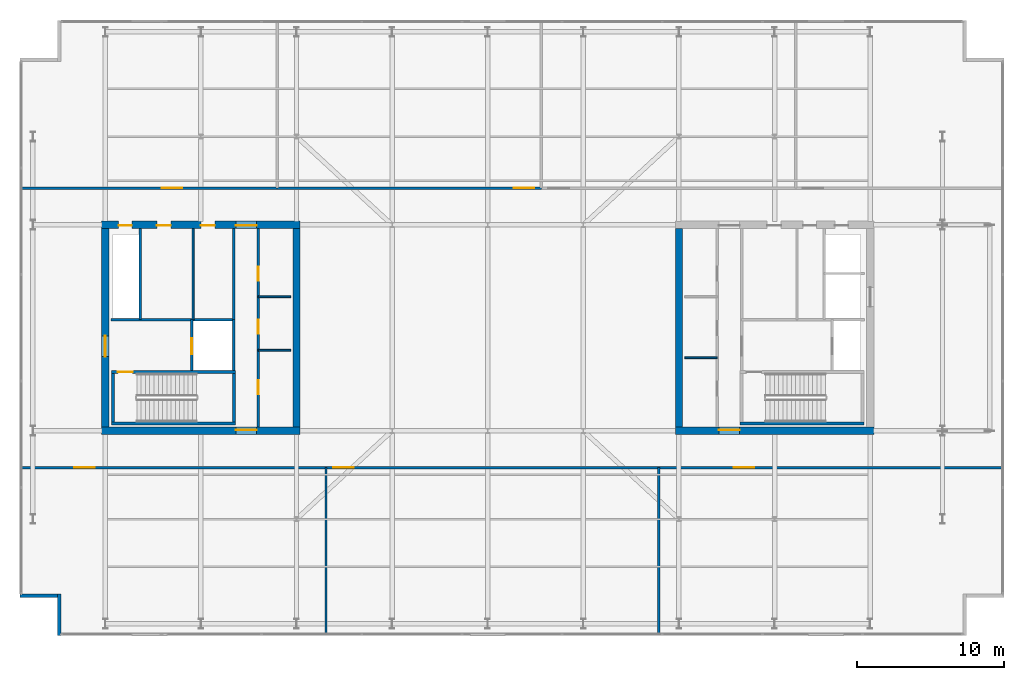
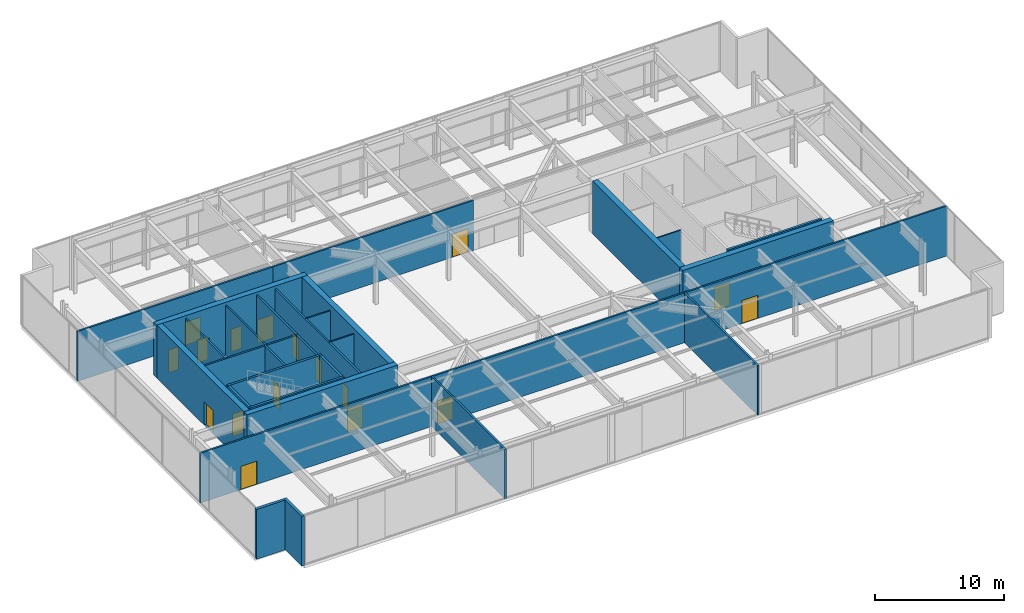
# One storey, part 18 of 23: 30 walls, 17 doors, 17 openings.
"""IFC4 building model written with IfcOpenShell, lengths in metres."""

import ifcopenshell
import ifcopenshell.guid

model = None  # the IFC model being written
_history = None  # IfcOwnerHistory: only IFC2X3 demands one
_inside = {}  # id of a spatial element -> (the spatial element, [elements in it])
_under = {}  # id of a project, library or spatial element -> (it, [spatial elements below it])
_declared = {}  # id of a project -> (the project, [libraries it declares])
_typed = {}  # id of a type object -> (the type object, [elements of that type])
_made_of = {}  # id of a material, layer set ... -> (it, [elements and type objects made of it])


def new_model(schema):
    """Start an empty IFC model of exactly this schema.

    Asked for "IFC4X3", IfcOpenShell would pick the latest addendum, in which some entities
    have other attributes; the version numbers below select the first issue.
    IFC2X3 requires an IfcOwnerHistory on every rooted entity: one is made here for all.
    """
    global model, _history
    if schema == "IFC4X3":
        model = ifcopenshell.file(schema_version=(4, 3, 0, 0))
    else:
        model = ifcopenshell.file(schema=schema)
    _inside.clear()
    _under.clear()
    _declared.clear()
    _typed.clear()
    _made_of.clear()
    _history = None
    if model.schema == "IFC2X3":
        org = make("IfcOrganization", Name="unknown")
        user = make(
            "IfcPersonAndOrganization",
            ThePerson=make("IfcPerson", FamilyName="unknown"),
            TheOrganization=org,
        )
        app = make(
            "IfcApplication",
            ApplicationDeveloper=org,
            Version="unknown",
            ApplicationFullName="unknown",
            ApplicationIdentifier="unknown",
        )
        _history = make(
            "IfcOwnerHistory",
            OwningUser=user,
            OwningApplication=app,
            ChangeAction="ADDED",
            CreationDate=0,
        )
    return model


def make(cls, **values):
    """One entity of the class cls with the attributes given. An attribute that is None is left unset."""
    return model.create_entity(
        cls, **{name: value for name, value in values.items() if value is not None}
    )


def rooted(cls, **values):
    """An entity with a GlobalId (a new one), such as an element, a storey or a relation."""
    return make(cls, GlobalId=ifcopenshell.guid.new(), OwnerHistory=_history, **values)


def si_unit(unit_type, name, prefix=None):
    """IfcSIUnit, for example si_unit("LENGTHUNIT", "METRE", prefix="MILLI")."""
    return make("IfcSIUnit", UnitType=unit_type, Prefix=prefix, Name=name)


def assignment(units):
    """IfcUnitAssignment: the units of a project."""
    return None if units is None else make("IfcUnitAssignment", Units=units)


def point(xyz):
    """IfcCartesianPoint."""
    return None if xyz is None else make("IfcCartesianPoint", Coordinates=xyz)


def direction(xyz):
    """IfcDirection."""
    return None if xyz is None else make("IfcDirection", DirectionRatios=xyz)


def frame(location, z_axis=None, x_axis=None):
    """IfcAxis2Placement3D, a coordinate frame: its origin and axes. An axis left out is left unset."""
    return make(
        "IfcAxis2Placement3D",
        Location=point(location),
        Axis=direction(z_axis),
        RefDirection=direction(x_axis),
    )


def frame_2d(location, x_axis=None):
    """IfcAxis2Placement2D, a coordinate frame in the plane: its origin and x axis."""
    return make(
        "IfcAxis2Placement2D", Location=point(location), RefDirection=direction(x_axis)
    )


def origin():
    """The frame at (0, 0, 0) with its axes left unset."""
    return frame((0.0, 0.0, 0.0))


def place(relative_to, where):
    """IfcLocalPlacement: puts the frame where relative to a parent placement (None: the world)."""
    return make(
        "IfcLocalPlacement", PlacementRelTo=relative_to, RelativePlacement=where
    )


def context(
    kind, dimensions, precision=None, world=None, true_north=None, identifier=None
):
    """IfcGeometricRepresentationContext, for example the 3D "Model" context."""
    return make(
        "IfcGeometricRepresentationContext",
        ContextIdentifier=identifier,
        ContextType=kind,
        CoordinateSpaceDimension=dimensions,
        Precision=precision,
        WorldCoordinateSystem=world,
        TrueNorth=true_north,
    )


def subcontext(parent, identifier, kind, view, scale=None):
    """IfcGeometricRepresentationSubContext, for example "Body" below "Model"."""
    return make(
        "IfcGeometricRepresentationSubContext",
        ContextIdentifier=identifier,
        ContextType=kind,
        ParentContext=parent,
        TargetScale=scale,
        TargetView=view,
    )


def project(units=None, contexts=None):
    """IfcProject with its units and contexts."""
    return rooted(
        "IfcProject",
        Name="project",
        RepresentationContexts=contexts,
        UnitsInContext=assignment(units),
    )


def spatial(cls, under=None, at=None, **own):
    """A site, building, storey or space (cls), placed at a placement, below another one or the project."""
    s = rooted(cls, ObjectPlacement=at, **own)
    if under is not None:
        _under.setdefault(under.id(), (under, []))[1].append(s)
    return s


def profile(cls, at=None, kind="AREA", **sizes):
    """A parametric profile (cls). Its sizes go by their IFC names, for example OverallWidth=200.0."""
    return make(cls, ProfileType=kind, Position=at, **sizes)


def rectangle(**sizes):
    """IfcRectangleProfileDef."""
    return profile("IfcRectangleProfileDef", **sizes)


def extrude(swept, where, along, depth):
    """IfcExtrudedAreaSolid: the profile swept, set in the frame where, extruded along a direction by depth."""
    return make(
        "IfcExtrudedAreaSolid",
        SweptArea=swept,
        Position=where,
        ExtrudedDirection=direction(along),
        Depth=depth,
    )


def shape(context_of_items, identifier, shape_type, items):
    """IfcShapeRepresentation: the items that make up one representation, for example the "Body"."""
    return make(
        "IfcShapeRepresentation",
        ContextOfItems=context_of_items,
        RepresentationIdentifier=identifier,
        RepresentationType=shape_type,
        Items=items,
    )


def material(Name=None, Category=None):
    """IfcMaterial."""
    return make("IfcMaterial", Name=Name, Category=Category)


def layer(
    of_material, thickness, ventilated=None, Name=None, Category=None, Priority=None
):
    """IfcMaterialLayer: one layer of a wall or slab, of a material (None: an air gap)."""
    return make(
        "IfcMaterialLayer",
        Material=of_material,
        LayerThickness=thickness,
        IsVentilated=ventilated,
        Name=Name,
        Category=Category,
        Priority=Priority,
    )


def layer_set(layers, Name=None):
    """IfcMaterialLayerSet."""
    return make("IfcMaterialLayerSet", MaterialLayers=layers, LayerSetName=Name)


def made_of(thing, what):
    """Note that an element or type object is made of a material, layer set ...; save() writes the relation."""
    if what is not None:
        _made_of.setdefault(what.id(), (what, []))[1].append(thing)
    return thing


def type_object(cls, material=None, **own):
    """A type object (cls), such as IfcWallType, which elements share."""
    return made_of(rooted(cls, **own), material)


def element(
    cls,
    number,
    at=None,
    inside=None,
    cuts=None,
    type_object=None,
    material=None,
    context=None,
    identifier="Body",
    shape_type=None,
    held_by="IfcProductDefinitionShape",
    body=None,
    shapes=None,
    **own,
):
    """One element of the class cls, such as IfcWall. Its Tag is "e" and its number.

    at: its placement. inside: the storey or other place that contains it. cuts: it is an
    opening in that element (IfcRelVoidsElement). A single representation is given by context,
    identifier, shape_type and body (its items); several are given by shapes. held_by: the class
    of the entity that holds the representations. save() writes the other relations.
    """
    e = rooted(cls, Tag="e%d" % number, ObjectPlacement=at, **own)
    if body is not None:
        shapes = [shape(context, identifier, shape_type, body)]
    if shapes is not None:
        e.Representation = make(held_by, Representations=shapes)
    if inside is not None:
        _inside.setdefault(inside.id(), (inside, []))[1].append(e)
    if cuts is not None:
        rooted(
            "IfcRelVoidsElement", RelatingBuildingElement=cuts, RelatedOpeningElement=e
        )
    if type_object is not None:
        _typed.setdefault(type_object.id(), (type_object, []))[1].append(e)
    return made_of(e, material)


def fill(opening, filler):
    """IfcRelFillsElement: the door or window that sits in an opening."""
    return rooted(
        "IfcRelFillsElement",
        RelatingOpeningElement=opening,
        RelatedBuildingElement=filler,
    )


def aggregate(whole, parts):
    """IfcRelAggregates: a whole, such as a stair, and the parts it consists of."""
    return rooted("IfcRelAggregates", RelatingObject=whole, RelatedObjects=parts)


def save(model, path):
    """Write the relations noted so far, then the file.

    IfcRelAggregates (storeys below a building ...), IfcRelContainedInSpatialStructure (elements
    in a storey), IfcRelDefinesByType, IfcRelAssociatesMaterial and IfcRelDeclares: one each for
    every whole, place, type object, material and project.
    """
    for whole, parts in _under.values():
        aggregate(whole, parts)
    for where, things in _inside.values():
        rooted(
            "IfcRelContainedInSpatialStructure",
            RelatedElements=things,
            RelatingStructure=where,
        )
    for kind, things in _typed.values():
        rooted("IfcRelDefinesByType", RelatedObjects=things, RelatingType=kind)
    for what, things in _made_of.values():
        rooted("IfcRelAssociatesMaterial", RelatedObjects=things, RelatingMaterial=what)
    for by, libraries in _declared.values():
        rooted("IfcRelDeclares", RelatingContext=by, RelatedDefinitions=libraries)
    model.write(path)


model = new_model("IFC4")

# Units and contexts
model_context = context("Model", 3, precision=1e-05, world=origin(), true_north=direction((0.0, 1.0)))
body_context = subcontext(model_context, "Body", "Model", "MODEL_VIEW")
ifc_project = project(units=[si_unit("LENGTHUNIT", "METRE"), si_unit("AREAUNIT", "SQUARE_METRE"), si_unit("VOLUMEUNIT", "CUBIC_METRE"), si_unit("PLANEANGLEUNIT", "RADIAN"), si_unit("MASSUNIT", "GRAM", prefix="KILO")], contexts=[model_context])

# Site, building, storey
site_placement = place(None, origin())
site = spatial("IfcSite", under=ifc_project, at=site_placement, CompositionType="ELEMENT")
building_placement = place(site_placement, origin())
building = spatial("IfcBuilding", under=site, at=building_placement, Name="Putna Gate Headquarters", CompositionType="ELEMENT")
storey_placement = place(building_placement, frame((0.0, 0.0, 310.39990234375)))
storey = spatial("IfcBuildingStorey", under=building, at=storey_placement, Name="L78", CompositionType="ELEMENT", Elevation=310.39990234375)

# Wall, opening, door
ifc_material_1 = material(Name="Concrete C50/60", Category="concrete")
ifc_layer_1 = layer(ifc_material_1, 0.5)
ifc_layer_set_1 = layer_set([ifc_layer_1], Name="Concrete C50/60")
wall_type_1 = type_object("IfcWallType", Name="WALL-CORE-500", PredefinedType="SHEAR", material=ifc_layer_set_1)
wall_1_placement = place(storey_placement, frame((12.75, 19.0, 0.0), z_axis=(0.0, 0.0, 1.0), x_axis=(1.0, 0.0, 0.0)))
wall_1 = element("IfcWall", 1, at=wall_1_placement, inside=storey, type_object=wall_type_1, Name="L78 WC Split Core Shear Wall S", PredefinedType="SHEAR", context=body_context, shape_type="SweptSolid", body=[
    extrude(rectangle(XDim=13.5, YDim=0.5, at=frame_2d((6.75, 0.0))), origin(), (0.0, 0.0, 1.0), 5.0),
])
opening_1_placement = place(wall_1_placement, frame((9.1298828125, 0.0, 0.0)))
opening_1 = element("IfcOpeningElement", 2, at=opening_1_placement, cuts=wall_1, Name="Opening FDD-140", PredefinedType="OPENING", context=body_context, shape_type="SweptSolid", body=[
    extrude(rectangle(XDim=1.39990234375, YDim=2.199951171875, at=frame_2d((0.699951171875, 1.10009765625))), frame((0.0, 0.260009765625, 0.0), z_axis=(0.0, -1.0, 0.0), x_axis=(1.0, 0.0, 0.0)), (0.0, 0.0, 1.0), 0.52001953125),
])
ifc_material_2 = material(Name="Double steel fire door", Category="steel")
door_type_1 = type_object("IfcDoorType", Name="DOOR-FIRE-DBL-1400", OperationType="DOUBLE_DOOR_SINGLE_SWING", PredefinedType="DOOR", material=ifc_material_2)
door_1_placement = place(opening_1_placement, origin())
door_1 = element("IfcDoor", 3, at=door_1_placement, inside=storey, type_object=door_type_1, Name="L78 West Lift Lobby South Door", OperationType="DOUBLE_DOOR_SINGLE_SWING", OverallHeight=2.199951171875, OverallWidth=1.39990234375, PredefinedType="DOOR", context=body_context, shape_type="SweptSolid", body=[
    extrude(rectangle(XDim=1.39990234375, YDim=2.199951171875, at=frame_2d((0.699951171875, 1.10009765625))), frame((0.0, 0.0751953125, 0.0), z_axis=(0.0, -1.0, 0.0), x_axis=(1.0, 0.0, 0.0)), (0.0, 0.0, 1.0), 0.050048828125),
])
fill(opening_1, door_1)

# Wall, openings, doors
wall_2_placement = place(storey_placement, frame((12.75, 33.0, 0.0), z_axis=(0.0, 0.0, 1.0), x_axis=(1.0, 0.0, 0.0)))
wall_2 = element("IfcWall", 4, at=wall_2_placement, inside=storey, type_object=wall_type_1, Name="L78 WC Split Core Shear Wall N", PredefinedType="SHEAR", context=body_context, shape_type="SweptSolid", body=[
    extrude(rectangle(XDim=13.5, YDim=0.5, at=frame_2d((6.75, 0.0))), origin(), (0.0, 0.0, 1.0), 5.0),
])
opening_2_placement = place(wall_2_placement, frame((1.14990234375, 0.0, 0.0)))
opening_2 = element("IfcOpeningElement", 5, at=opening_2_placement, cuts=wall_2, Name="Opening RD-90", PredefinedType="OPENING", context=body_context, shape_type="SweptSolid", body=[
    extrude(rectangle(XDim=0.89990234375, YDim=2.14990234375, at=frame_2d((0.449951171875, 1.074951171875))), frame((0.0, 0.260009765625, 0.0), z_axis=(0.0, -1.0, 0.0), x_axis=(1.0, 0.0, 0.0)), (0.0, 0.0, 1.0), 0.52001953125),
])
opening_3_placement = place(wall_2_placement, frame((3.75, 0.0, 0.0)))
opening_3 = element("IfcOpeningElement", 6, at=opening_3_placement, cuts=wall_2, Name="Opening IDS-95", PredefinedType="OPENING", context=body_context, shape_type="SweptSolid", body=[
    extrude(rectangle(XDim=0.949951171875, YDim=2.14990234375, at=frame_2d((0.47509765625, 1.074951171875))), frame((0.0, 0.260009765625, 0.0), z_axis=(0.0, -1.0, 0.0), x_axis=(1.0, 0.0, 0.0)), (0.0, 0.0, 1.0), 0.52001953125),
])
opening_4_placement = place(wall_2_placement, frame((6.75, 0.0, 0.0)))
opening_4 = element("IfcOpeningElement", 7, at=opening_4_placement, cuts=wall_2, Name="Opening IDS-95", PredefinedType="OPENING", context=body_context, shape_type="SweptSolid", body=[
    extrude(rectangle(XDim=0.949951171875, YDim=2.14990234375, at=frame_2d((0.47509765625, 1.074951171875))), frame((0.0, 0.260009765625, 0.0), z_axis=(0.0, -1.0, 0.0), x_axis=(1.0, 0.0, 0.0)), (0.0, 0.0, 1.0), 0.52001953125),
])
opening_5_placement = place(wall_2_placement, frame((9.1298828125, 0.0, 0.0)))
opening_5 = element("IfcOpeningElement", 8, at=opening_5_placement, cuts=wall_2, Name="Opening FDD-140", PredefinedType="OPENING", context=body_context, shape_type="SweptSolid", body=[
    extrude(rectangle(XDim=1.39990234375, YDim=2.199951171875, at=frame_2d((0.699951171875, 1.10009765625))), frame((0.0, 0.260009765625, 0.0), z_axis=(0.0, -1.0, 0.0), x_axis=(1.0, 0.0, 0.0)), (0.0, 0.0, 1.0), 0.52001953125),
])
door_2_placement = place(opening_5_placement, origin())
door_2 = element("IfcDoor", 9, at=door_2_placement, inside=storey, type_object=door_type_1, Name="L78 West Lift Lobby North Door", OperationType="DOUBLE_DOOR_SINGLE_SWING", OverallHeight=2.199951171875, OverallWidth=1.39990234375, PredefinedType="DOOR", context=body_context, shape_type="SweptSolid", body=[
    extrude(rectangle(XDim=1.39990234375, YDim=2.199951171875, at=frame_2d((0.699951171875, 1.10009765625))), frame((0.0, -0.02490234375, 0.0), z_axis=(0.0, -1.0, 0.0), x_axis=(1.0, 0.0, 0.0)), (0.0, 0.0, 1.0), 0.050048828125),
])
fill(opening_5, door_2)
ifc_material_3 = material(Name="Fire-rated service timber door", Category="wood")
door_type_2 = type_object("IfcDoorType", Name="DOOR-INT-950", OperationType="NOTDEFINED", PredefinedType="DOOR", material=ifc_material_3)
door_3_placement = place(opening_3_placement, origin())
door_3 = element("IfcDoor", 10, at=door_3_placement, inside=storey, type_object=door_type_2, Name="L78 Cleaner Store Door", OperationType="SINGLE_SWING_LEFT", OverallHeight=2.14990234375, OverallWidth=0.949951171875, PredefinedType="DOOR", context=body_context, shape_type="SweptSolid", body=[
    extrude(rectangle(XDim=0.949951171875, YDim=2.14990234375, at=frame_2d((0.47509765625, 1.074951171875))), frame((0.0, -0.02490234375, 0.0), z_axis=(0.0, -1.0, 0.0), x_axis=(1.0, 0.0, 0.0)), (0.0, 0.0, 1.0), 0.050048828125),
])
fill(opening_3, door_3)
door_4_placement = place(opening_4_placement, origin())
door_4 = element("IfcDoor", 11, at=door_4_placement, inside=storey, type_object=door_type_2, Name="L78 Comms Plant Door", OperationType="SINGLE_SWING_RIGHT", OverallHeight=2.14990234375, OverallWidth=0.949951171875, PredefinedType="DOOR", context=body_context, shape_type="SweptSolid", body=[
    extrude(rectangle(XDim=0.949951171875, YDim=2.14990234375, at=frame_2d((0.47509765625, 1.074951171875))), frame((0.0, -0.02490234375, 0.0), z_axis=(0.0, -1.0, 0.0), x_axis=(1.0, 0.0, 0.0)), (0.0, 0.0, 1.0), 0.050048828125),
])
fill(opening_4, door_4)
ifc_material_4 = material(Name="Steel riser access fire door", Category="steel")
door_type_3 = type_object("IfcDoorType", Name="DOOR-RISER-900", OperationType="NOTDEFINED", PredefinedType="DOOR", material=ifc_material_4)
door_5_placement = place(opening_2_placement, origin())
door_5 = element("IfcDoor", 12, at=door_5_placement, inside=storey, type_object=door_type_3, Name="L78 West Riser Access Door", OperationType="SINGLE_SWING_RIGHT", OverallHeight=2.14990234375, OverallWidth=0.89990234375, PredefinedType="DOOR", context=body_context, shape_type="SweptSolid", body=[
    extrude(rectangle(XDim=0.89990234375, YDim=2.14990234375, at=frame_2d((0.449951171875, 1.074951171875))), frame((0.0, -0.02490234375, 0.0), z_axis=(0.0, -1.0, 0.0), x_axis=(1.0, 0.0, 0.0)), (0.0, 0.0, 1.0), 0.050048828125),
])
fill(opening_2, door_5)

# Wall, opening, door
wall_3_placement = place(storey_placement, frame((13.0, 19.25, 0.0), z_axis=(0.0, 0.0, 1.0), x_axis=(0.0, 1.0, 0.0)))
wall_3 = element("IfcWall", 13, at=wall_3_placement, inside=storey, type_object=wall_type_1, Name="L78 WC Split Core Shear Wall W", PredefinedType="SHEAR", context=body_context, shape_type="SweptSolid", body=[
    extrude(rectangle(XDim=13.5, YDim=0.5, at=frame_2d((6.75, 0.0))), origin(), (0.0, 0.0, 1.0), 5.0),
])
opening_6_placement = place(wall_3_placement, frame((4.800048828125, 0.0, 0.0)))
opening_6 = element("IfcOpeningElement", 14, at=opening_6_placement, cuts=wall_3, Name="Opening FDD-140", PredefinedType="OPENING", context=body_context, shape_type="SweptSolid", body=[
    extrude(rectangle(XDim=1.39990234375, YDim=2.199951171875, at=frame_2d((0.699951171875, 1.10009765625))), frame((0.0, 0.260009765625, 0.0), z_axis=(0.0, -1.0, 0.0), x_axis=(1.0, 0.0, 0.0)), (0.0, 0.0, 1.0), 0.52001953125),
])
door_6_placement = place(opening_6_placement, origin())
door_6 = element("IfcDoor", 15, at=door_6_placement, inside=storey, type_object=door_type_1, Name="L78 West Firefighting Lobby Door", OperationType="DOUBLE_DOOR_SINGLE_SWING", OverallHeight=2.199951171875, OverallWidth=1.39990234375, PredefinedType="DOOR", context=body_context, shape_type="SweptSolid", body=[
    extrude(rectangle(XDim=1.39990234375, YDim=2.199951171875, at=frame_2d((0.699951171875, 1.10009765625))), frame((0.0, 0.02490234375, 0.0), z_axis=(0.0, -1.0, 0.0), x_axis=(1.0, 0.0, 0.0)), (0.0, 0.0, 1.0), 0.050048828125),
])
fill(opening_6, door_6)

# Wall
wall_4_placement = place(storey_placement, frame((26.0, 19.25, 0.0), z_axis=(0.0, 0.0, 1.0), x_axis=(0.0, 1.0, 0.0)))
element("IfcWall", 16, at=wall_4_placement, inside=storey, type_object=wall_type_1, Name="L78 WC Split Core Shear Wall E", PredefinedType="SHEAR", context=body_context, shape_type="SweptSolid", body=[
    extrude(rectangle(XDim=13.5, YDim=0.5, at=frame_2d((6.75, 0.0))), origin(), (0.0, 0.0, 1.0), 5.0),
])

# Wall, opening, door
wall_5_placement = place(storey_placement, frame((51.75, 19.0, 0.0), z_axis=(0.0, 0.0, 1.0), x_axis=(1.0, 0.0, 0.0)))
wall_5 = element("IfcWall", 17, at=wall_5_placement, inside=storey, type_object=wall_type_1, Name="L78 EC Split Core Shear Wall S", PredefinedType="SHEAR", context=body_context, shape_type="SweptSolid", body=[
    extrude(rectangle(XDim=13.5, YDim=0.5, at=frame_2d((6.75, 0.0))), origin(), (0.0, 0.0, 1.0), 5.0),
])
opening_7_placement = place(wall_5_placement, frame((2.969970703125, 0.0, 0.0)))
opening_7 = element("IfcOpeningElement", 18, at=opening_7_placement, cuts=wall_5, Name="Opening FDD-140", PredefinedType="OPENING", context=body_context, shape_type="SweptSolid", body=[
    extrude(rectangle(XDim=1.39990234375, YDim=2.199951171875, at=frame_2d((0.699951171875, 1.10009765625))), frame((0.0, 0.260009765625, 0.0), z_axis=(0.0, -1.0, 0.0), x_axis=(1.0, 0.0, 0.0)), (0.0, 0.0, 1.0), 0.52001953125),
])
door_7_placement = place(opening_7_placement, origin())
door_7 = element("IfcDoor", 19, at=door_7_placement, inside=storey, type_object=door_type_1, Name="L78 East Lift Lobby South Door", OperationType="DOUBLE_DOOR_SINGLE_SWING", OverallHeight=2.199951171875, OverallWidth=1.39990234375, PredefinedType="DOOR", context=body_context, shape_type="SweptSolid", body=[
    extrude(rectangle(XDim=1.39990234375, YDim=2.199951171875, at=frame_2d((0.699951171875, 1.10009765625))), frame((0.0, 0.0751953125, 0.0), z_axis=(0.0, -1.0, 0.0), x_axis=(1.0, 0.0, 0.0)), (0.0, 0.0, 1.0), 0.050048828125),
])
fill(opening_7, door_7)

# Walls
wall_6_placement = place(storey_placement, frame((52.0, 19.25, 0.0), z_axis=(0.0, 0.0, 1.0), x_axis=(0.0, 1.0, 0.0)))
element("IfcWall", 20, at=wall_6_placement, inside=storey, type_object=wall_type_1, Name="L78 EC Split Core Shear Wall W", PredefinedType="SHEAR", context=body_context, shape_type="SweptSolid", body=[
    extrude(rectangle(XDim=13.5, YDim=0.5, at=frame_2d((6.75, 0.0))), origin(), (0.0, 0.0, 1.0), 5.0),
])
ifc_material_5 = material(Name="Precast concrete C40/50", Category="concrete")
ifc_layer_2 = layer(ifc_material_5, 0.239990234375)
ifc_layer_set_2 = layer_set([ifc_layer_2], Name="Precast concrete C40/50")
wall_type_2 = type_object("IfcWallType", Name="WALL-EXT-TERR-240", PredefinedType="STANDARD", material=ifc_layer_set_2)
wall_7_placement = place(storey_placement, frame((9.8798828125, 5.10009765625, 0.0), z_axis=(0.0, 0.0, 1.0), x_axis=(0.0, 1.0, 0.0)))
element("IfcWall", 21, at=wall_7_placement, inside=storey, type_object=wall_type_2, Name="L78 Corner Notch Return Wall SW-V", PredefinedType="STANDARD", context=body_context, shape_type="SweptSolid", body=[
    extrude(rectangle(XDim=2.7998046875, YDim=0.239990234375, at=frame_2d((1.39990234375, 0.0))), origin(), (0.0, 0.0, 1.0), 4.72021484375),
])
wall_8_placement = place(storey_placement, frame((10.0, 7.780029296875, 0.0), z_axis=(0.0, 0.0, 1.0), x_axis=(-1.0, 0.0, 0.0)))
element("IfcWall", 22, at=wall_8_placement, inside=storey, type_object=wall_type_2, Name="L78 Corner Notch Return Wall SW-H", PredefinedType="STANDARD", context=body_context, shape_type="SweptSolid", body=[
    extrude(rectangle(XDim=2.800048828125, YDim=0.239990234375, at=frame_2d((1.39990234375, 0.0))), origin(), (0.0, 0.0, 1.0), 4.72021484375),
])
ifc_material_6 = material(Name="Fire-rated gypsum board on metal stud")
ifc_layer_3 = layer(ifc_material_6, 0.1201171875)
ifc_layer_set_3 = layer_set([ifc_layer_3], Name="Fire-rated gypsum board on metal stud")
wall_type_3 = type_object("IfcWallType", Name="WALL-PART-120-RATED", PredefinedType="PARTITIONING", material=ifc_layer_set_3)
wall_9_placement = place(storey_placement, frame((18.969970703125, 26.56005859375, 0.0), z_axis=(0.0, 0.0, 1.0), x_axis=(0.0, 1.0, 0.0)))
element("IfcWall", 23, at=wall_9_placement, inside=storey, type_object=wall_type_3, Name="L78 Interior Wall CWINT-L78-WC-K0-DIV", PredefinedType="PARTITIONING", context=body_context, shape_type="SweptSolid", body=[
    extrude(rectangle(XDim=6.18994140625, YDim=0.1201171875, at=frame_2d((3.094970703125, 0.0))), origin(), (0.0, 0.0, 1.0), 4.72021484375),
])
for number, where, z_axis, x_axis, name in (
    (24, (23.39990234375, 24.469970703125, 0.0), (0.0, 0.0, 1.0), (1.0, 0.0, 0.0), "L78 Interior Wall CWINT-L78-WC-REUSE-DIV"),
    (25, (23.39990234375, 28.1201171875, 0.0), (0.0, 0.0, 1.0), (1.0, 0.0, 0.0), "L78 Interior Wall CWINT-L78-WC-LF06-DIV"),
    (26, (52.39990234375, 23.969970703125, 0.0), (0.0, 0.0, 1.0), (1.0, 0.0, 0.0), "L78 Interior Wall CWINT-L78-EC-REUSE-DIV"),
):
    element("IfcWall", number, at=place(storey_placement, frame(where, z_axis=z_axis, x_axis=x_axis)), inside=storey, type_object=wall_type_3, Name=name, PredefinedType="PARTITIONING", context=body_context, shape_type="SweptSolid", body=[
        extrude(rectangle(XDim=2.2001953125, YDim=0.1201171875, at=frame_2d((1.10009765625, 0.0))), origin(), (0.0, 0.0, 1.0), 4.72021484375),
    ])
ifc_material_7 = material(Name="Concrete C40/50", Category="concrete")
ifc_layer_4 = layer(ifc_material_7, 0.159912109375)
ifc_layer_set_4 = layer_set([ifc_layer_4], Name="Concrete C40/50")
wall_type_4 = type_object("IfcWallType", Name="WALL-SHAFT-160", PredefinedType="STANDARD", material=ifc_layer_set_4)
wall_10_placement = place(storey_placement, frame((21.739990234375, 23.090087890625, 0.0), z_axis=(0.0, 0.0, 1.0), x_axis=(0.0, 1.0, 0.0)))
element("IfcWall", 27, at=wall_10_placement, inside=storey, type_object=wall_type_4, Name="L78 Interior Wall CWINT-L78-WC-FFL-E", PredefinedType="STANDARD", context=body_context, shape_type="SweptSolid", body=[
    extrude(rectangle(XDim=3.469970703125, YDim=0.159912109375, at=frame_2d((1.73486328125, 0.0))), origin(), (0.0, 0.0, 1.0), 4.72021484375),
])

# Wall, opening, door
wall_11_placement = place(storey_placement, frame((18.8798828125, 23.090087890625, 0.0), z_axis=(0.0, 0.0, 1.0), x_axis=(0.0, 1.0, 0.0)))
wall_11 = element("IfcWall", 28, at=wall_11_placement, inside=storey, type_object=wall_type_4, Name="L78 Interior Wall CWINT-L78-WC-LF13-W", PredefinedType="STANDARD", context=body_context, shape_type="SweptSolid", body=[
    extrude(rectangle(XDim=3.469970703125, YDim=0.159912109375, at=frame_2d((1.73486328125, 0.0))), origin(), (0.0, 0.0, 1.0), 4.72021484375),
])
opening_8_placement = place(wall_11_placement, frame((1.10009765625, 0.0, 0.0)))
opening_8 = element("IfcOpeningElement", 29, at=opening_8_placement, cuts=wall_11, Name="Opening LD-1", PredefinedType="OPENING", context=body_context, shape_type="SweptSolid", body=[
    extrude(rectangle(XDim=1.10009765625, YDim=2.199951171875, at=frame_2d((0.550048828125, 1.10009765625))), frame((0.0, 0.08984375, 0.0), z_axis=(0.0, -1.0, 0.0), x_axis=(1.0, 0.0, 0.0)), (0.0, 0.0, 1.0), 0.179931640625),
])
ifc_material_8 = material(Name="Brushed bronze stainless lift landing door")
door_type_4 = type_object("IfcDoorType", Name="DOOR-LIFT-1100", OperationType="DOUBLE_DOOR_SLIDING", PredefinedType="DOOR", material=ifc_material_8)
door_8_placement = place(opening_8_placement, origin())
door_8 = element("IfcDoor", 30, at=door_8_placement, inside=storey, type_object=door_type_4, Name="L78 Lift Landing Door LD-13", OperationType="DOUBLE_DOOR_SLIDING", OverallHeight=2.199951171875, OverallWidth=1.10009765625, PredefinedType="DOOR", context=body_context, shape_type="SweptSolid", body=[
    extrude(rectangle(XDim=1.10009765625, YDim=2.199951171875, at=frame_2d((0.550048828125, 1.10009765625))), frame((0.0, 0.02490234375, 0.0), z_axis=(0.0, -1.0, 0.0), x_axis=(1.0, 0.0, 0.0)), (0.0, 0.0, 1.0), 0.050048828125),
])
fill(opening_8, door_8)

# Walls
wall_12_placement = place(storey_placement, frame((13.39990234375, 26.56005859375, 0.0), z_axis=(0.0, 0.0, 1.0), x_axis=(1.0, 0.0, 0.0)))
element("IfcWall", 31, at=wall_12_placement, inside=storey, type_object=wall_type_4, Name="L78 Interior Wall CWINT-L78-WC-FFL-N", PredefinedType="STANDARD", context=body_context, shape_type="SweptSolid", body=[
    extrude(rectangle(XDim=8.340087890625, YDim=0.159912109375, at=frame_2d((4.169921875, 0.0))), origin(), (0.0, 0.0, 1.0), 4.72021484375),
])
for number, where, z_axis, x_axis, name in (
    (32, (15.3798828125, 26.56005859375, 0.0), (0.0, 0.0, 1.0), (0.0, 1.0, 0.0), "L78 Interior Wall CWINT-L78-WC-RISER-E"),
    (33, (21.739990234375, 26.56005859375, 0.0), (0.0, 0.0, 1.0), (0.0, 1.0, 0.0), "L78 Interior Wall CWINT-L78-WC-LOB-W"),
):
    element("IfcWall", number, at=place(storey_placement, frame(where, z_axis=z_axis, x_axis=x_axis)), inside=storey, type_object=wall_type_4, Name=name, PredefinedType="STANDARD", context=body_context, shape_type="SweptSolid", body=[
        extrude(rectangle(XDim=6.18994140625, YDim=0.159912109375, at=frame_2d((3.094970703125, 0.0))), origin(), (0.0, 0.0, 1.0), 4.72021484375),
    ])

# Wall, openings, doors
wall_13_placement = place(storey_placement, frame((23.39990234375, 19.25, 0.0), z_axis=(0.0, 0.0, 1.0), x_axis=(0.0, 1.0, 0.0)))
wall_13 = element("IfcWall", 34, at=wall_13_placement, inside=storey, type_object=wall_type_4, Name="L78 Interior Wall CWINT-L78-WC-PL-WALL", PredefinedType="STANDARD", context=body_context, shape_type="SweptSolid", body=[
    extrude(rectangle(XDim=13.5, YDim=0.159912109375, at=frame_2d((6.75, 0.0))), origin(), (0.0, 0.0, 1.0), 4.72021484375),
])
opening_9_placement = place(wall_13_placement, frame((2.25, 0.0, 0.0)))
opening_9 = element("IfcOpeningElement", 35, at=opening_9_placement, cuts=wall_13, Name="Opening IDS-95", PredefinedType="OPENING", context=body_context, shape_type="SweptSolid", body=[
    extrude(rectangle(XDim=0.949951171875, YDim=2.14990234375, at=frame_2d((0.47509765625, 1.074951171875))), frame((0.0, 0.08984375, 0.0), z_axis=(0.0, -1.0, 0.0), x_axis=(1.0, 0.0, 0.0)), (0.0, 0.0, 1.0), 0.179931640625),
])
opening_10_placement = place(wall_13_placement, frame((6.35009765625, 0.0, 0.0)))
opening_10 = element("IfcOpeningElement", 36, at=opening_10_placement, cuts=wall_13, Name="Opening IDS-95", PredefinedType="OPENING", context=body_context, shape_type="SweptSolid", body=[
    extrude(rectangle(XDim=0.949951171875, YDim=2.14990234375, at=frame_2d((0.47509765625, 1.074951171875))), frame((0.0, 0.08984375, 0.0), z_axis=(0.0, -1.0, 0.0), x_axis=(1.0, 0.0, 0.0)), (0.0, 0.0, 1.0), 0.179931640625),
])
opening_11_placement = place(wall_13_placement, frame((9.949951171875, 0.0, 0.0)))
opening_11 = element("IfcOpeningElement", 37, at=opening_11_placement, cuts=wall_13, Name="Opening IDS-95F", PredefinedType="OPENING", context=body_context, shape_type="SweptSolid", body=[
    extrude(rectangle(XDim=0.949951171875, YDim=2.14990234375, at=frame_2d((0.47509765625, 1.074951171875))), frame((0.0, 0.08984375, 0.0), z_axis=(0.0, -1.0, 0.0), x_axis=(1.0, 0.0, 0.0)), (0.0, 0.0, 1.0), 0.179931640625),
])
door_9_placement = place(opening_9_placement, origin())
door_9 = element("IfcDoor", 38, at=door_9_placement, inside=storey, type_object=door_type_2, Name="L78 Tenant IT Hub Door", OperationType="SINGLE_SWING_LEFT", OverallHeight=2.14990234375, OverallWidth=0.949951171875, PredefinedType="DOOR", context=body_context, shape_type="SweptSolid", body=[
    extrude(rectangle(XDim=0.949951171875, YDim=2.14990234375, at=frame_2d((0.47509765625, 1.074951171875))), frame((0.0, 0.02490234375, 0.0), z_axis=(0.0, -1.0, 0.0), x_axis=(1.0, 0.0, 0.0)), (0.0, 0.0, 1.0), 0.050048828125),
])
fill(opening_9, door_9)
door_10_placement = place(opening_10_placement, origin())
door_10 = element("IfcDoor", 39, at=door_10_placement, inside=storey, type_object=door_type_2, Name="L78 Records Vault Door", OperationType="SINGLE_SWING_RIGHT", OverallHeight=2.14990234375, OverallWidth=0.949951171875, PredefinedType="DOOR", context=body_context, shape_type="SweptSolid", body=[
    extrude(rectangle(XDim=0.949951171875, YDim=2.14990234375, at=frame_2d((0.47509765625, 1.074951171875))), frame((0.0, 0.02490234375, 0.0), z_axis=(0.0, -1.0, 0.0), x_axis=(1.0, 0.0, 0.0)), (0.0, 0.0, 1.0), 0.050048828125),
])
fill(opening_10, door_10)
ifc_material_9 = material(Name="Steel-faced fire door", Category="steel")
door_type_5 = type_object("IfcDoorType", Name="DOOR-INT-950-EI90", OperationType="NOTDEFINED", PredefinedType="DOOR", material=ifc_material_9)
door_11_placement = place(opening_11_placement, origin())
door_11 = element("IfcDoor", 40, at=door_11_placement, inside=storey, type_object=door_type_5, Name="L78 Hoistway Machinery West Door", OperationType="SINGLE_SWING_LEFT", OverallHeight=2.14990234375, OverallWidth=0.949951171875, PredefinedType="DOOR", context=body_context, shape_type="SweptSolid", body=[
    extrude(rectangle(XDim=0.949951171875, YDim=2.14990234375, at=frame_2d((0.47509765625, 1.074951171875))), frame((0.0, 0.02490234375, 0.0), z_axis=(0.0, -1.0, 0.0), x_axis=(1.0, 0.0, 0.0)), (0.0, 0.0, 1.0), 0.050048828125),
])
fill(opening_11, door_11)

# Wall, opening, door
wall_14_placement = place(storey_placement, frame((7.219970703125, 35.5, 0.0), z_axis=(0.0, 0.0, 1.0), x_axis=(1.0, 0.0, 0.0)))
wall_14 = element("IfcWall", 41, at=wall_14_placement, inside=storey, type_object=wall_type_4, Name="L78 Interior Wall PART-L78-PN-CW1", PredefinedType="STANDARD", context=body_context, shape_type="SweptSolid", body=[
    extrude(rectangle(XDim=17.46044921875, YDim=0.159912109375, at=frame_2d((8.730224609375, 0.0))), origin(), (0.0, 0.0, 1.0), 4.72021484375),
])
opening_12_placement = place(wall_14_placement, frame((9.6201171875, 0.0, 0.0)))
opening_12 = element("IfcOpeningElement", 42, at=opening_12_placement, cuts=wall_14, Name="Opening FDD-140", PredefinedType="OPENING", context=body_context, shape_type="SweptSolid", body=[
    extrude(rectangle(XDim=1.39990234375, YDim=2.199951171875, at=frame_2d((0.699951171875, 1.10009765625))), frame((0.0, 0.08984375, 0.0), z_axis=(0.0, -1.0, 0.0), x_axis=(1.0, 0.0, 0.0)), (0.0, 0.0, 1.0), 0.179931640625),
])
door_12_placement = place(opening_12_placement, origin())
door_12 = element("IfcDoor", 43, at=door_12_placement, inside=storey, type_object=door_type_1, Name="L78 AHU Ventilation Plant Room Door", OperationType="DOUBLE_DOOR_SINGLE_SWING", OverallHeight=2.199951171875, OverallWidth=1.39990234375, PredefinedType="DOOR", context=body_context, shape_type="SweptSolid", body=[
    extrude(rectangle(XDim=1.39990234375, YDim=2.199951171875, at=frame_2d((0.699951171875, 1.10009765625))), frame((0.0, 0.02490234375, 0.0), z_axis=(0.0, -1.0, 0.0), x_axis=(1.0, 0.0, 0.0)), (0.0, 0.0, 1.0), 0.050048828125),
])
fill(opening_12, door_12)

wall_15_placement = place(storey_placement, frame((24.680419921875, 35.5, 0.0), z_axis=(0.0, 0.0, 1.0), x_axis=(1.0, 0.0, 0.0)))
wall_15 = element("IfcWall", 44, at=wall_15_placement, inside=storey, type_object=wall_type_4, Name="L78 Interior Wall PART-L78-PN-CW2", PredefinedType="STANDARD", context=body_context, shape_type="SweptSolid", body=[
    extrude(rectangle(XDim=17.9658203125, YDim=0.159912109375, at=frame_2d((8.98291015625, 0.0))), origin(), (0.0, 0.0, 1.0), 4.72021484375),
])
opening_13_placement = place(wall_15_placement, frame((16.085693359375, 0.0, 0.0)))
opening_13 = element("IfcOpeningElement", 45, at=opening_13_placement, cuts=wall_15, Name="Opening FDD-140", PredefinedType="OPENING", context=body_context, shape_type="SweptSolid", body=[
    extrude(rectangle(XDim=1.39990234375, YDim=2.199951171875, at=frame_2d((0.699951171875, 1.10009765625))), frame((0.0, 0.08984375, 0.0), z_axis=(0.0, -1.0, 0.0), x_axis=(1.0, 0.0, 0.0)), (0.0, 0.0, 1.0), 0.179931640625),
])
door_13_placement = place(opening_13_placement, origin())
door_13 = element("IfcDoor", 46, at=door_13_placement, inside=storey, type_object=door_type_1, Name="L78 Chiller and Heat Exchanger Plant Room Door", OperationType="DOUBLE_DOOR_SINGLE_SWING", OverallHeight=2.199951171875, OverallWidth=1.39990234375, PredefinedType="DOOR", context=body_context, shape_type="SweptSolid", body=[
    extrude(rectangle(XDim=1.39990234375, YDim=2.199951171875, at=frame_2d((0.699951171875, 1.10009765625))), frame((0.0, 0.02490234375, 0.0), z_axis=(0.0, -1.0, 0.0), x_axis=(1.0, 0.0, 0.0)), (0.0, 0.0, 1.0), 0.050048828125),
])
fill(opening_13, door_13)

# Wall
wall_16_placement = place(storey_placement, frame((28.00732421875, 5.1201171875, 0.0), z_axis=(0.0, 0.0, 1.0), x_axis=(0.0, 1.0, 0.0)))
element("IfcWall", 47, at=wall_16_placement, inside=storey, type_object=wall_type_4, Name="L78 Interior Wall PART-L78-PS-DIV1", PredefinedType="STANDARD", context=body_context, shape_type="SweptSolid", body=[
    extrude(rectangle(XDim=11.3798828125, YDim=0.159912109375, at=frame_2d((5.68994140625, 0.0))), origin(), (0.0, 0.0, 1.0), 4.72021484375),
])

# Wall, opening, door
wall_17_placement = place(storey_placement, frame((7.219970703125, 16.5, 0.0), z_axis=(0.0, 0.0, 1.0), x_axis=(1.0, 0.0, 0.0)))
wall_17 = element("IfcWall", 48, at=wall_17_placement, inside=storey, type_object=wall_type_4, Name="L78 Interior Wall PART-L78-PS-CW1", PredefinedType="STANDARD", context=body_context, shape_type="SweptSolid", body=[
    extrude(rectangle(XDim=20.787353515625, YDim=0.159912109375, at=frame_2d((10.3935546875, 0.0))), origin(), (0.0, 0.0, 1.0), 4.72021484375),
])
opening_14_placement = place(wall_17_placement, frame((3.659912109375, 0.0, 0.0)))
opening_14 = element("IfcOpeningElement", 49, at=opening_14_placement, cuts=wall_17, Name="Opening FDD-140", PredefinedType="OPENING", context=body_context, shape_type="SweptSolid", body=[
    extrude(rectangle(XDim=1.39990234375, YDim=2.199951171875, at=frame_2d((0.699951171875, 1.10009765625))), frame((0.0, 0.08984375, 0.0), z_axis=(0.0, -1.0, 0.0), x_axis=(1.0, 0.0, 0.0)), (0.0, 0.0, 1.0), 0.179931640625),
])
door_14_placement = place(opening_14_placement, origin())
door_14 = element("IfcDoor", 50, at=door_14_placement, inside=storey, type_object=door_type_1, Name="L78 Domestic and Fire Water Booster Pump Room Door", OperationType="DOUBLE_DOOR_SINGLE_SWING", OverallHeight=2.199951171875, OverallWidth=1.39990234375, PredefinedType="DOOR", context=body_context, shape_type="SweptSolid", body=[
    extrude(rectangle(XDim=1.39990234375, YDim=2.199951171875, at=frame_2d((0.699951171875, 1.10009765625))), frame((0.0, 0.02490234375, 0.0), z_axis=(0.0, -1.0, 0.0), x_axis=(1.0, 0.0, 0.0)), (0.0, 0.0, 1.0), 0.050048828125),
])
fill(opening_14, door_14)

# Wall
wall_18_placement = place(storey_placement, frame((50.631103515625, 5.1201171875, 0.0), z_axis=(0.0, 0.0, 1.0), x_axis=(0.0, 1.0, 0.0)))
element("IfcWall", 51, at=wall_18_placement, inside=storey, type_object=wall_type_4, Name="L78 Interior Wall PART-L78-PS-DIV2", PredefinedType="STANDARD", context=body_context, shape_type="SweptSolid", body=[
    extrude(rectangle(XDim=11.3798828125, YDim=0.159912109375, at=frame_2d((5.68994140625, 0.0))), origin(), (0.0, 0.0, 1.0), 4.72021484375),
])

# Wall, opening, door
wall_19_placement = place(storey_placement, frame((28.00732421875, 16.5, 0.0), z_axis=(0.0, 0.0, 1.0), x_axis=(1.0, 0.0, 0.0)))
wall_19 = element("IfcWall", 52, at=wall_19_placement, inside=storey, type_object=wall_type_4, Name="L78 Interior Wall PART-L78-PS-CW2", PredefinedType="STANDARD", context=body_context, shape_type="SweptSolid", body=[
    extrude(rectangle(XDim=22.623779296875, YDim=0.159912109375, at=frame_2d((11.31201171875, 0.0))), origin(), (0.0, 0.0, 1.0), 4.72021484375),
])
opening_15_placement = place(wall_19_placement, frame((0.47998046875, 0.0, 0.0)))
opening_15 = element("IfcOpeningElement", 53, at=opening_15_placement, cuts=wall_19, Name="Opening FDD-140", PredefinedType="OPENING", context=body_context, shape_type="SweptSolid", body=[
    extrude(rectangle(XDim=1.39990234375, YDim=2.199951171875, at=frame_2d((0.699951171875, 1.10009765625))), frame((0.0, 0.08984375, 0.0), z_axis=(0.0, -1.0, 0.0), x_axis=(1.0, 0.0, 0.0)), (0.0, 0.0, 1.0), 0.179931640625),
])
door_15_placement = place(opening_15_placement, origin())
door_15 = element("IfcDoor", 54, at=door_15_placement, inside=storey, type_object=door_type_1, Name="L78 Thermal Energy Storage and Calorifier Plant Door", OperationType="DOUBLE_DOOR_SINGLE_SWING", OverallHeight=2.199951171875, OverallWidth=1.39990234375, PredefinedType="DOOR", context=body_context, shape_type="SweptSolid", body=[
    extrude(rectangle(XDim=1.39990234375, YDim=2.199951171875, at=frame_2d((0.699951171875, 1.10009765625))), frame((0.0, 0.02490234375, 0.0), z_axis=(0.0, -1.0, 0.0), x_axis=(1.0, 0.0, 0.0)), (0.0, 0.0, 1.0), 0.050048828125),
])
fill(opening_15, door_15)

wall_20_placement = place(storey_placement, frame((50.631103515625, 16.5, 0.0), z_axis=(0.0, 0.0, 1.0), x_axis=(1.0, 0.0, 0.0)))
wall_20 = element("IfcWall", 55, at=wall_20_placement, inside=storey, type_object=wall_type_4, Name="L78 Interior Wall PART-L78-PS-CW3", PredefinedType="STANDARD", context=body_context, shape_type="SweptSolid", body=[
    extrude(rectangle(XDim=23.448974609375, YDim=0.159912109375, at=frame_2d((11.724609375, 0.0))), origin(), (0.0, 0.0, 1.0), 4.72021484375),
])
opening_16_placement = place(wall_20_placement, frame((5.0908203125, 0.0, 0.0)))
opening_16 = element("IfcOpeningElement", 56, at=opening_16_placement, cuts=wall_20, Name="Opening FDD-140", PredefinedType="OPENING", context=body_context, shape_type="SweptSolid", body=[
    extrude(rectangle(XDim=1.39990234375, YDim=2.199951171875, at=frame_2d((0.699951171875, 1.10009765625))), frame((0.0, 0.08984375, 0.0), z_axis=(0.0, -1.0, 0.0), x_axis=(1.0, 0.0, 0.0)), (0.0, 0.0, 1.0), 0.179931640625),
])
door_16_placement = place(opening_16_placement, origin())
door_16 = element("IfcDoor", 57, at=door_16_placement, inside=storey, type_object=door_type_1, Name="L78 Emergency Power and UPS Battery Plant Room Door", OperationType="DOUBLE_DOOR_SINGLE_SWING", OverallHeight=2.199951171875, OverallWidth=1.39990234375, PredefinedType="DOOR", context=body_context, shape_type="SweptSolid", body=[
    extrude(rectangle(XDim=1.39990234375, YDim=2.199951171875, at=frame_2d((0.699951171875, 1.10009765625))), frame((0.0, 0.02490234375, 0.0), z_axis=(0.0, -1.0, 0.0), x_axis=(1.0, 0.0, 0.0)), (0.0, 0.0, 1.0), 0.050048828125),
])
fill(opening_16, door_16)

# Wall
ifc_layer_5 = layer(ifc_material_7, 0.199951171875)
ifc_layer_set_5 = layer_set([ifc_layer_5], Name="Concrete C40/50")
wall_type_5 = type_object("IfcWallType", Name="WALL-SHAFT-RC200", PredefinedType="SHEAR", material=ifc_layer_set_5)
wall_21_placement = place(storey_placement, frame((13.409912109375, 19.510009765625, 0.0), z_axis=(0.0, 0.0, 1.0), x_axis=(1.0, 0.0, 0.0)))
element("IfcWall", 58, at=wall_21_placement, inside=storey, type_object=wall_type_5, Name="L78 Stair ST1 Structural Shaft Wall S", PredefinedType="SHEAR", context=body_context, shape_type="SweptSolid", body=[
    extrude(rectangle(XDim=8.43017578125, YDim=0.199951171875, at=frame_2d((4.215087890625, 0.0))), origin(), (0.0, 0.0, 1.0), 5.0),
])

# Wall, opening, door
wall_22_placement = place(storey_placement, frame((13.409912109375, 22.989990234375, 0.0), z_axis=(0.0, 0.0, 1.0), x_axis=(1.0, 0.0, 0.0)))
wall_22 = element("IfcWall", 59, at=wall_22_placement, inside=storey, type_object=wall_type_5, Name="L78 Stair ST1 Structural Shaft Wall N", PredefinedType="SHEAR", context=body_context, shape_type="SweptSolid", body=[
    extrude(rectangle(XDim=8.43017578125, YDim=0.199951171875, at=frame_2d((4.215087890625, 0.0))), origin(), (0.0, 0.0, 1.0), 5.0),
])
opening_17_placement = place(wall_22_placement, frame((0.449951171875, 0.0, 0.0)))
opening_17 = element("IfcOpeningElement", 60, at=opening_17_placement, cuts=wall_22, Name="Opening FD-100", PredefinedType="OPENING", context=body_context, shape_type="SweptSolid", body=[
    extrude(rectangle(XDim=1.0, YDim=2.14990234375, at=frame_2d((0.5, 1.074951171875))), frame((0.0, 0.10986328125, 0.0), z_axis=(0.0, -1.0, 0.0), x_axis=(1.0, 0.0, 0.0)), (0.0, 0.0, 1.0), 0.219970703125),
])
ifc_material_10 = material(Name="Powder-coated steel fire door", Category="steel")
door_type_6 = type_object("IfcDoorType", Name="DOOR-FIRE-1000", OperationType="NOTDEFINED", PredefinedType="DOOR", material=ifc_material_10)
door_17_placement = place(opening_17_placement, origin())
door_17 = element("IfcDoor", 61, at=door_17_placement, inside=storey, type_object=door_type_6, Name="L78 Stair ST1 Fire Door", OperationType="SINGLE_SWING_LEFT", OverallHeight=2.14990234375, OverallWidth=1.0, PredefinedType="DOOR", context=body_context, shape_type="SweptSolid", body=[
    extrude(rectangle(XDim=1.0, YDim=2.14990234375, at=frame_2d((0.5, 1.074951171875))), frame((0.0, 0.02490234375, 0.0), z_axis=(0.0, -1.0, 0.0), x_axis=(1.0, 0.0, 0.0)), (0.0, 0.0, 1.0), 0.050048828125),
])
fill(opening_17, door_17)

# Walls
for number, where, z_axis, x_axis, name in (
    (62, (13.510009765625, 19.610107421875, 0.0), (0.0, 0.0, 1.0), (0.0, 1.0, 0.0), "L78 Stair ST1 Structural Shaft Wall W"),
    (63, (21.739990234375, 19.610107421875, 0.0), (0.0, 0.0, 1.0), (0.0, 1.0, 0.0), "L78 Stair ST1 Structural Shaft Wall E"),
):
    element("IfcWall", number, at=place(storey_placement, frame(where, z_axis=z_axis, x_axis=x_axis)), inside=storey, type_object=wall_type_5, Name=name, PredefinedType="SHEAR", context=body_context, shape_type="SweptSolid", body=[
        extrude(rectangle(XDim=3.27978515625, YDim=0.199951171875, at=frame_2d((1.639892578125, 0.0))), origin(), (0.0, 0.0, 1.0), 5.0),
    ])
wall_23_placement = place(storey_placement, frame((56.159912109375, 19.510009765625, 0.0), z_axis=(0.0, 0.0, 1.0), x_axis=(1.0, 0.0, 0.0)))
element("IfcWall", 64, at=wall_23_placement, inside=storey, type_object=wall_type_5, Name="L78 Stair ST2 Structural Shaft Wall S", PredefinedType="SHEAR", context=body_context, shape_type="SweptSolid", body=[
    extrude(rectangle(XDim=8.43017578125, YDim=0.199951171875, at=frame_2d((4.215087890625, 0.0))), origin(), (0.0, 0.0, 1.0), 5.0),
])

save(model, "model.ifc")
